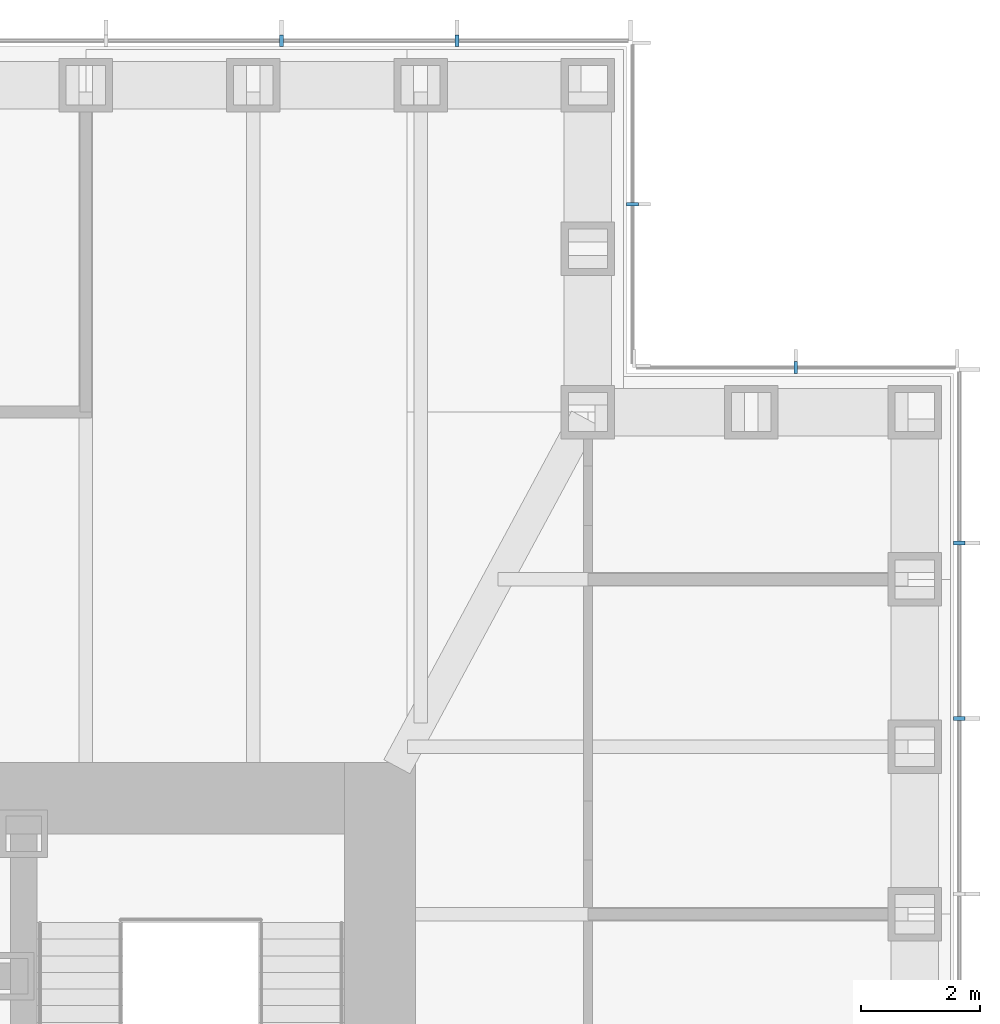
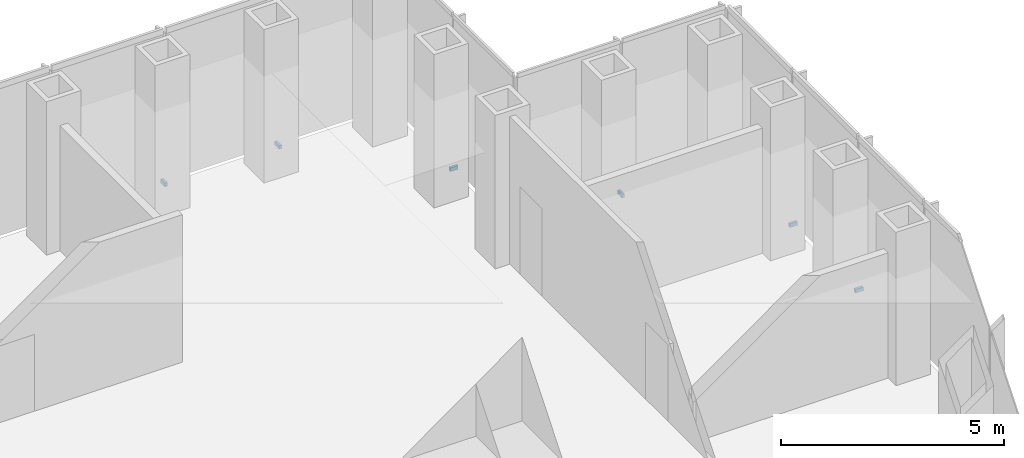
# One storey, part 16 of 17: 6 discrete accessories.
"""IFC4 building model written with IfcOpenShell, lengths in metres."""

from ifc_helpers import new_model, si_unit, direction, frame, origin, origin_2d, place, context, subcontext, project, spatial, rectangle, extrude, element, save


model = new_model("IFC4")

# Units and contexts
model_context = context("Model", 3, precision=1e-05, world=origin(), true_north=direction((0.0, 1.0)))
body_context = subcontext(model_context, "Body", "Model", "MODEL_VIEW")
ifc_project = project(units=[si_unit("LENGTHUNIT", "METRE"), si_unit("AREAUNIT", "SQUARE_METRE"), si_unit("VOLUMEUNIT", "CUBIC_METRE"), si_unit("PLANEANGLEUNIT", "RADIAN"), si_unit("MASSUNIT", "GRAM", prefix="KILO")], contexts=[model_context])

# Site, building, storey
site_placement = place(None, origin())
site = spatial("IfcSite", under=ifc_project, at=site_placement, CompositionType="ELEMENT")
building_placement = place(site_placement, origin())
building = spatial("IfcBuilding", under=site, at=building_placement, Name="Daluyong Arena Tower", CompositionType="ELEMENT")
storey_placement = place(building_placement, frame((0.0, 0.0, 193.89990234375)))
storey = spatial("IfcBuildingStorey", under=building, at=storey_placement, Name="L43", CompositionType="ELEMENT", Elevation=193.89990234375)

# Discrete accessories
for number, where, z_axis, x_axis, name in (
    (1, (77.75, 90.3408203125, -0.099853515625), (0.0, 0.0, 1.0), (0.0, 1.0, 0.0), "curtain wall L43 E anchor bracket 10"),
    (2, (77.75, 93.29541015625, -0.099853515625), (0.0, 0.0, 1.0), (0.0, 1.0, 0.0), "curtain wall L43 E anchor bracket 11"),
):
    element("IfcDiscreteAccessory", number, at=place(storey_placement, frame(where, z_axis=z_axis, x_axis=x_axis)), inside=storey, Name=name, PredefinedType="BRACKET", context=body_context, shape_type="SweptSolid", body=[
        extrude(rectangle(XDim=0.070068359375, YDim=0.199951171875, at=origin_2d()), origin(), (0.0, 0.0, 1.0), 0.10009765625),
    ])
for number, where, z_axis, x_axis, name in (
    (3, (75.0, 96.25, -0.099853515625), (0.0, 0.0, 1.0), (-1.0, 0.0, 0.0), "curtain wall L43 NE-N anchor bracket 2"),
    (4, (72.25, 99.0, -0.099853515625), (0.0, 0.0, 1.0), (0.0, 1.0, 0.0), "curtain wall L43 NE-E anchor bracket 2"),
):
    element("IfcDiscreteAccessory", number, at=place(storey_placement, frame(where, z_axis=z_axis, x_axis=x_axis)), inside=storey, Name=name, PredefinedType="BRACKET", context=body_context, shape_type="SweptSolid", body=[
        extrude(rectangle(XDim=0.06005859375, YDim=0.199951171875, at=origin_2d()), origin(), (0.0, 0.0, 1.0), 0.10009765625),
    ])
for number, where, z_axis, x_axis, name in (
    (5, (69.29541015625, 101.75, -0.099853515625), (0.0, 0.0, 1.0), (-1.0, 0.0, 0.0), "curtain wall L43 N anchor bracket 2"),
    (6, (66.3408203125, 101.75, -0.099853515625), (0.0, 0.0, 1.0), (-1.0, 0.0, 0.0), "curtain wall L43 N anchor bracket 3"),
):
    element("IfcDiscreteAccessory", number, at=place(storey_placement, frame(where, z_axis=z_axis, x_axis=x_axis)), inside=storey, Name=name, PredefinedType="BRACKET", context=body_context, shape_type="SweptSolid", body=[
        extrude(rectangle(XDim=0.070068359375, YDim=0.199951171875, at=origin_2d()), origin(), (0.0, 0.0, 1.0), 0.10009765625),
    ])

save(model, "model.ifc")
